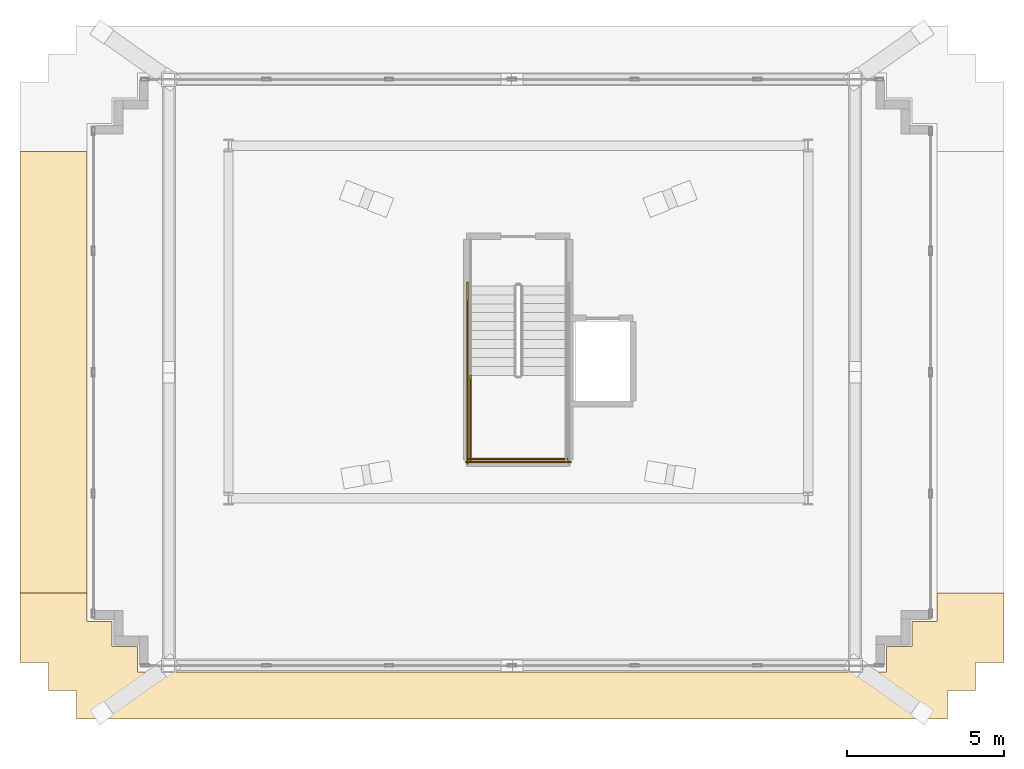
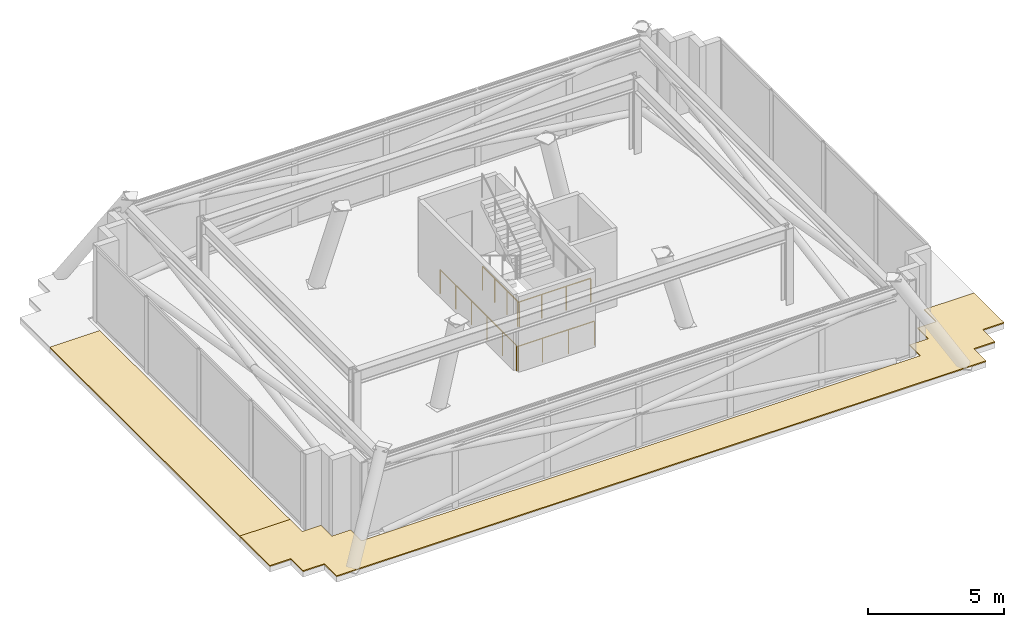
# One storey, part 11 of 13: 4 railings, 2 coverings.
"""IFC4 building model written with IfcOpenShell, lengths in metres."""

import ifcopenshell
import ifcopenshell.guid

model = None  # the IFC model being written
_history = None  # IfcOwnerHistory: only IFC2X3 demands one
_inside = {}  # id of a spatial element -> (the spatial element, [elements in it])
_under = {}  # id of a project, library or spatial element -> (it, [spatial elements below it])
_declared = {}  # id of a project -> (the project, [libraries it declares])
_typed = {}  # id of a type object -> (the type object, [elements of that type])
_made_of = {}  # id of a material, layer set ... -> (it, [elements and type objects made of it])


def new_model(schema):
    """Start an empty IFC model of exactly this schema.

    Asked for "IFC4X3", IfcOpenShell would pick the latest addendum, in which some entities
    have other attributes; the version numbers below select the first issue.
    IFC2X3 requires an IfcOwnerHistory on every rooted entity: one is made here for all.
    """
    global model, _history
    if schema == "IFC4X3":
        model = ifcopenshell.file(schema_version=(4, 3, 0, 0))
    else:
        model = ifcopenshell.file(schema=schema)
    _inside.clear()
    _under.clear()
    _declared.clear()
    _typed.clear()
    _made_of.clear()
    _history = None
    if model.schema == "IFC2X3":
        org = make("IfcOrganization", Name="unknown")
        user = make(
            "IfcPersonAndOrganization",
            ThePerson=make("IfcPerson", FamilyName="unknown"),
            TheOrganization=org,
        )
        app = make(
            "IfcApplication",
            ApplicationDeveloper=org,
            Version="unknown",
            ApplicationFullName="unknown",
            ApplicationIdentifier="unknown",
        )
        _history = make(
            "IfcOwnerHistory",
            OwningUser=user,
            OwningApplication=app,
            ChangeAction="ADDED",
            CreationDate=0,
        )
    return model


def make(cls, **values):
    """One entity of the class cls with the attributes given. An attribute that is None is left unset."""
    return model.create_entity(
        cls, **{name: value for name, value in values.items() if value is not None}
    )


def rooted(cls, **values):
    """An entity with a GlobalId (a new one), such as an element, a storey or a relation."""
    return make(cls, GlobalId=ifcopenshell.guid.new(), OwnerHistory=_history, **values)


def si_unit(unit_type, name, prefix=None):
    """IfcSIUnit, for example si_unit("LENGTHUNIT", "METRE", prefix="MILLI")."""
    return make("IfcSIUnit", UnitType=unit_type, Prefix=prefix, Name=name)


def assignment(units):
    """IfcUnitAssignment: the units of a project."""
    return None if units is None else make("IfcUnitAssignment", Units=units)


def point(xyz):
    """IfcCartesianPoint."""
    return None if xyz is None else make("IfcCartesianPoint", Coordinates=xyz)


def direction(xyz):
    """IfcDirection."""
    return None if xyz is None else make("IfcDirection", DirectionRatios=xyz)


def frame(location, z_axis=None, x_axis=None):
    """IfcAxis2Placement3D, a coordinate frame: its origin and axes. An axis left out is left unset."""
    return make(
        "IfcAxis2Placement3D",
        Location=point(location),
        Axis=direction(z_axis),
        RefDirection=direction(x_axis),
    )


def frame_2d(location, x_axis=None):
    """IfcAxis2Placement2D, a coordinate frame in the plane: its origin and x axis."""
    return make(
        "IfcAxis2Placement2D", Location=point(location), RefDirection=direction(x_axis)
    )


def origin():
    """The frame at (0, 0, 0) with its axes left unset."""
    return frame((0.0, 0.0, 0.0))


def origin_2d():
    """The frame at (0, 0) in the plane with its x axis left unset."""
    return frame_2d((0.0, 0.0))


def place(relative_to, where):
    """IfcLocalPlacement: puts the frame where relative to a parent placement (None: the world)."""
    return make(
        "IfcLocalPlacement", PlacementRelTo=relative_to, RelativePlacement=where
    )


def context(
    kind, dimensions, precision=None, world=None, true_north=None, identifier=None
):
    """IfcGeometricRepresentationContext, for example the 3D "Model" context."""
    return make(
        "IfcGeometricRepresentationContext",
        ContextIdentifier=identifier,
        ContextType=kind,
        CoordinateSpaceDimension=dimensions,
        Precision=precision,
        WorldCoordinateSystem=world,
        TrueNorth=true_north,
    )


def subcontext(parent, identifier, kind, view, scale=None):
    """IfcGeometricRepresentationSubContext, for example "Body" below "Model"."""
    return make(
        "IfcGeometricRepresentationSubContext",
        ContextIdentifier=identifier,
        ContextType=kind,
        ParentContext=parent,
        TargetScale=scale,
        TargetView=view,
    )


def project(units=None, contexts=None):
    """IfcProject with its units and contexts."""
    return rooted(
        "IfcProject",
        Name="project",
        RepresentationContexts=contexts,
        UnitsInContext=assignment(units),
    )


def spatial(cls, under=None, at=None, **own):
    """A site, building, storey or space (cls), placed at a placement, below another one or the project."""
    s = rooted(cls, ObjectPlacement=at, **own)
    if under is not None:
        _under.setdefault(under.id(), (under, []))[1].append(s)
    return s


def polyline(points):
    """IfcPolyline through the points."""
    return make("IfcPolyline", Points=[point(p) for p in points])


def profile(cls, at=None, kind="AREA", **sizes):
    """A parametric profile (cls). Its sizes go by their IFC names, for example OverallWidth=200.0."""
    return make(cls, ProfileType=kind, Position=at, **sizes)


def circle(**sizes):
    """IfcCircleProfileDef."""
    return profile("IfcCircleProfileDef", **sizes)


def outline(outer, holes=None, kind="AREA"):
    """IfcArbitraryClosedProfileDef: a profile drawn as a closed curve; with holes, ...WithVoids."""
    if holes is None:
        return make("IfcArbitraryClosedProfileDef", ProfileType=kind, OuterCurve=outer)
    return make(
        "IfcArbitraryProfileDefWithVoids",
        ProfileType=kind,
        OuterCurve=outer,
        InnerCurves=holes,
    )


def extrude(swept, where, along, depth):
    """IfcExtrudedAreaSolid: the profile swept, set in the frame where, extruded along a direction by depth."""
    return make(
        "IfcExtrudedAreaSolid",
        SweptArea=swept,
        Position=where,
        ExtrudedDirection=direction(along),
        Depth=depth,
    )


def shape(context_of_items, identifier, shape_type, items):
    """IfcShapeRepresentation: the items that make up one representation, for example the "Body"."""
    return make(
        "IfcShapeRepresentation",
        ContextOfItems=context_of_items,
        RepresentationIdentifier=identifier,
        RepresentationType=shape_type,
        Items=items,
    )


def material(Name=None, Category=None):
    """IfcMaterial."""
    return make("IfcMaterial", Name=Name, Category=Category)


def layer(
    of_material, thickness, ventilated=None, Name=None, Category=None, Priority=None
):
    """IfcMaterialLayer: one layer of a wall or slab, of a material (None: an air gap)."""
    return make(
        "IfcMaterialLayer",
        Material=of_material,
        LayerThickness=thickness,
        IsVentilated=ventilated,
        Name=Name,
        Category=Category,
        Priority=Priority,
    )


def layer_set(layers, Name=None):
    """IfcMaterialLayerSet."""
    return make("IfcMaterialLayerSet", MaterialLayers=layers, LayerSetName=Name)


def made_of(thing, what):
    """Note that an element or type object is made of a material, layer set ...; save() writes the relation."""
    if what is not None:
        _made_of.setdefault(what.id(), (what, []))[1].append(thing)
    return thing


def type_object(cls, material=None, **own):
    """A type object (cls), such as IfcWallType, which elements share."""
    return made_of(rooted(cls, **own), material)


def element(
    cls,
    number,
    at=None,
    inside=None,
    cuts=None,
    type_object=None,
    material=None,
    context=None,
    identifier="Body",
    shape_type=None,
    held_by="IfcProductDefinitionShape",
    body=None,
    shapes=None,
    **own,
):
    """One element of the class cls, such as IfcWall. Its Tag is "e" and its number.

    at: its placement. inside: the storey or other place that contains it. cuts: it is an
    opening in that element (IfcRelVoidsElement). A single representation is given by context,
    identifier, shape_type and body (its items); several are given by shapes. held_by: the class
    of the entity that holds the representations. save() writes the other relations.
    """
    e = rooted(cls, Tag="e%d" % number, ObjectPlacement=at, **own)
    if body is not None:
        shapes = [shape(context, identifier, shape_type, body)]
    if shapes is not None:
        e.Representation = make(held_by, Representations=shapes)
    if inside is not None:
        _inside.setdefault(inside.id(), (inside, []))[1].append(e)
    if cuts is not None:
        rooted(
            "IfcRelVoidsElement", RelatingBuildingElement=cuts, RelatedOpeningElement=e
        )
    if type_object is not None:
        _typed.setdefault(type_object.id(), (type_object, []))[1].append(e)
    return made_of(e, material)


def aggregate(whole, parts):
    """IfcRelAggregates: a whole, such as a stair, and the parts it consists of."""
    return rooted("IfcRelAggregates", RelatingObject=whole, RelatedObjects=parts)


def save(model, path):
    """Write the relations noted so far, then the file.

    IfcRelAggregates (storeys below a building ...), IfcRelContainedInSpatialStructure (elements
    in a storey), IfcRelDefinesByType, IfcRelAssociatesMaterial and IfcRelDeclares: one each for
    every whole, place, type object, material and project.
    """
    for whole, parts in _under.values():
        aggregate(whole, parts)
    for where, things in _inside.values():
        rooted(
            "IfcRelContainedInSpatialStructure",
            RelatedElements=things,
            RelatingStructure=where,
        )
    for kind, things in _typed.values():
        rooted("IfcRelDefinesByType", RelatedObjects=things, RelatingType=kind)
    for what, things in _made_of.values():
        rooted("IfcRelAssociatesMaterial", RelatedObjects=things, RelatingMaterial=what)
    for by, libraries in _declared.values():
        rooted("IfcRelDeclares", RelatingContext=by, RelatedDefinitions=libraries)
    model.write(path)


model = new_model("IFC4")

# Units and contexts
model_context = context("Model", 3, precision=1e-05, world=origin(), true_north=direction((0.0, 1.0)))
body_context = subcontext(model_context, "Body", "Model", "MODEL_VIEW")
ifc_project = project(units=[si_unit("LENGTHUNIT", "METRE"), si_unit("AREAUNIT", "SQUARE_METRE"), si_unit("VOLUMEUNIT", "CUBIC_METRE"), si_unit("PLANEANGLEUNIT", "RADIAN"), si_unit("MASSUNIT", "GRAM", prefix="KILO")], contexts=[model_context])

# Site, building, storey
site_placement = place(None, origin())
site = spatial("IfcSite", under=ifc_project, at=site_placement, CompositionType="ELEMENT")
building_placement = place(site_placement, origin())
building = spatial("IfcBuilding", under=site, at=building_placement, Name="Qobustan Lattice House", CompositionType="ELEMENT")
storey_placement = place(building_placement, frame((0.0, 0.0, 285.39990234375)))
storey = spatial("IfcBuildingStorey", under=building, at=storey_placement, Name="L80", CompositionType="ELEMENT", Elevation=285.39990234375)

# Coverings
ifc_material_1 = material(Name="Insulated stone-ballasted roof membrane", Category="masonry")
ifc_layer = layer(ifc_material_1, 0.050048828125)
ifc_layer_set = layer_set([ifc_layer], Name="Insulated stone-ballasted roof membrane")
covering_type = type_object("IfcCoveringType", Name="COV-ROOF-MEMB", PredefinedType="ROOFING", material=ifc_layer_set)
covering_1_placement = place(storey_placement, origin())
element("IfcCovering", 1, at=covering_1_placement, inside=storey, type_object=covering_type, Name="L80 crown step roof membrane 1", PredefinedType="ROOFING", context=body_context, shape_type="SweptSolid", body=[
    extrude(outline(polyline([(-14.02001953125, -11.705078125), (-14.02001953125, -12.60498046875), (13.6201171875, -12.60498046875), (13.6201171875, -11.705078125), (14.52001953125, -11.705078125), (14.52001953125, -10.804931640625), (15.419921875, -10.804931640625), (15.419921875, -8.6064453125), (13.29345703125, -8.6064453125), (13.29345703125, -9.506591796875), (12.493408203125, -9.506591796875), (12.493408203125, -10.306396484375), (11.693603515625, -10.306396484375), (11.693603515625, -11.1064453125), (-12.093505859375, -11.1064453125), (-12.093505859375, -10.306396484375), (-12.8935546875, -10.306396484375), (-12.8935546875, -9.506591796875), (-13.693603515625, -9.506591796875), (-13.693603515625, -8.6064453125), (-15.820068359375, -8.6064453125), (-15.820068359375, -10.804931640625), (-14.919921875, -10.804931640625), (-14.919921875, -11.705078125), (-14.02001953125, -11.705078125)])), origin(), (0.0, 0.0, 1.0), 0.050048828125),
])
covering_2_placement = place(storey_placement, origin())
element("IfcCovering", 2, at=covering_2_placement, inside=storey, type_object=covering_type, Name="L80 crown step roof membrane 3", PredefinedType="ROOFING", context=body_context, shape_type="SweptSolid", body=[
    extrude(outline(polyline([(-15.820068359375, -8.6064453125), (-13.693603515625, -8.6064453125), (-13.693603515625, 5.406494140625), (-15.820068359375, 5.406494140625), (-15.820068359375, -8.6064453125)])), origin(), (0.0, 0.0, 1.0), 0.050048828125),
])

# Railings
ifc_material_2 = material(Name="Painted galvanized steel guardrail", Category="steel")
railing_type = type_object("IfcRailingType", Name="RAL-STG-1150", PredefinedType="GUARDRAIL", material=ifc_material_2)
railing_1_placement = place(storey_placement, frame((-1.510009765625, -1.699951171875, 1.900146484375)))
element("IfcRailing", 3, at=railing_1_placement, inside=storey, type_object=railing_type, Name="L80 ST-C1 stair guard 3", PredefinedType="GUARDRAIL", context=body_context, shape_type="SweptSolid", body=[
    extrude(circle(Radius=0.02392578125, at=origin_2d()), frame((0.0, 0.0, 1.076171875), z_axis=(0.0, -1.0, 0.0), x_axis=(1.0, 0.0, 0.0)), (0.0, 0.0, 1.0), 2.699951171875),
    extrude(circle(Radius=0.02099609375, at=origin_2d()), origin(), (0.0, 0.0, 1.0), 1.052001953125),
    extrude(circle(Radius=0.02099609375, at=origin_2d()), frame((0.0, -0.89990234375, 0.0)), (0.0, 0.0, 1.0), 1.052001953125),
    extrude(circle(Radius=0.02099609375, at=origin_2d()), frame((0.0, -1.800048828125, 0.0)), (0.0, 0.0, 1.0), 1.052001953125),
    extrude(circle(Radius=0.02099609375, at=origin_2d()), frame((0.0, -2.699951171875, 0.0)), (0.0, 0.0, 1.0), 1.052001953125),
])
railing_2_placement = place(storey_placement, frame((-1.56005859375, -4.35009765625, 1.900146484375)))
element("IfcRailing", 4, at=railing_2_placement, inside=storey, type_object=railing_type, Name="L80 ST-C1 stair guard 5", PredefinedType="GUARDRAIL", context=body_context, shape_type="SweptSolid", body=[
    extrude(circle(Radius=0.02392578125, at=origin_2d()), frame((0.0, 0.0, 1.076171875), z_axis=(1.0, 0.0, 0.0), x_axis=(0.0, 1.0, 0.0)), (0.0, 0.0, 1.0), 3.1201171875),
    extrude(circle(Radius=0.02099609375, at=origin_2d()), origin(), (0.0, 0.0, 1.0), 1.052001953125),
    extrude(circle(Radius=0.02099609375, at=origin_2d()), frame((1.0400390625, 0.0, 0.0)), (0.0, 0.0, 1.0), 1.052001953125),
    extrude(circle(Radius=0.02099609375, at=origin_2d()), frame((2.080078125, 0.0, 0.0)), (0.0, 0.0, 1.0), 1.052001953125),
    extrude(circle(Radius=0.02099609375, at=origin_2d()), frame((3.1201171875, 0.0, 0.0)), (0.0, 0.0, 1.0), 1.052001953125),
])
railing_3_placement = place(storey_placement, frame((-1.610107421875, 1.25, 0.0)))
element("IfcRailing", 5, at=railing_3_placement, inside=storey, type_object=railing_type, Name="L80 ST-C1 stair guard 10", PredefinedType="GUARDRAIL", context=body_context, shape_type="SweptSolid", body=[
    extrude(circle(Radius=0.02392578125, at=origin_2d()), frame((0.0, 0.0, 1.076171875), z_axis=(0.0, -1.0, 0.0), x_axis=(1.0, 0.0, 0.0)), (0.0, 0.0, 1.0), 5.75),
    extrude(circle(Radius=0.02099609375, at=origin_2d()), origin(), (0.0, 0.0, 1.0), 1.052001953125),
    extrude(circle(Radius=0.02099609375, at=origin_2d()), frame((0.0, -1.14990234375, 0.0)), (0.0, 0.0, 1.0), 1.052001953125),
    extrude(circle(Radius=0.02099609375, at=origin_2d()), frame((0.0, -2.300048828125, 0.0)), (0.0, 0.0, 1.0), 1.052001953125),
    extrude(circle(Radius=0.02099609375, at=origin_2d()), frame((0.0, -3.449951171875, 0.0)), (0.0, 0.0, 1.0), 1.052001953125),
    extrude(circle(Radius=0.02099609375, at=origin_2d()), frame((0.0, -4.60009765625, 0.0)), (0.0, 0.0, 1.0), 1.052001953125),
    extrude(circle(Radius=0.02099609375, at=origin_2d()), frame((0.0, -5.75, 0.0)), (0.0, 0.0, 1.0), 1.052001953125),
])
railing_4_placement = place(storey_placement, frame((-1.659912109375, -4.449951171875, 0.0)))
element("IfcRailing", 6, at=railing_4_placement, inside=storey, type_object=railing_type, Name="L80 ST-C1 stair guard 12", PredefinedType="GUARDRAIL", context=body_context, shape_type="SweptSolid", body=[
    extrude(circle(Radius=0.02392578125, at=origin_2d()), frame((0.0, 0.0, 1.076171875), z_axis=(1.0, 0.0, 0.0), x_axis=(0.0, 1.0, 0.0)), (0.0, 0.0, 1.0), 3.31982421875),
    extrude(circle(Radius=0.02099609375, at=origin_2d()), origin(), (0.0, 0.0, 1.0), 1.052001953125),
    extrude(circle(Radius=0.02099609375, at=origin_2d()), frame((1.106689453125, 0.0, 0.0)), (0.0, 0.0, 1.0), 1.052001953125),
    extrude(circle(Radius=0.02099609375, at=origin_2d()), frame((2.213134765625, 0.0, 0.0)), (0.0, 0.0, 1.0), 1.052001953125),
    extrude(circle(Radius=0.02099609375, at=origin_2d()), frame((3.31982421875, 0.0, 0.0)), (0.0, 0.0, 1.0), 1.052001953125),
])

save(model, "model.ifc")
